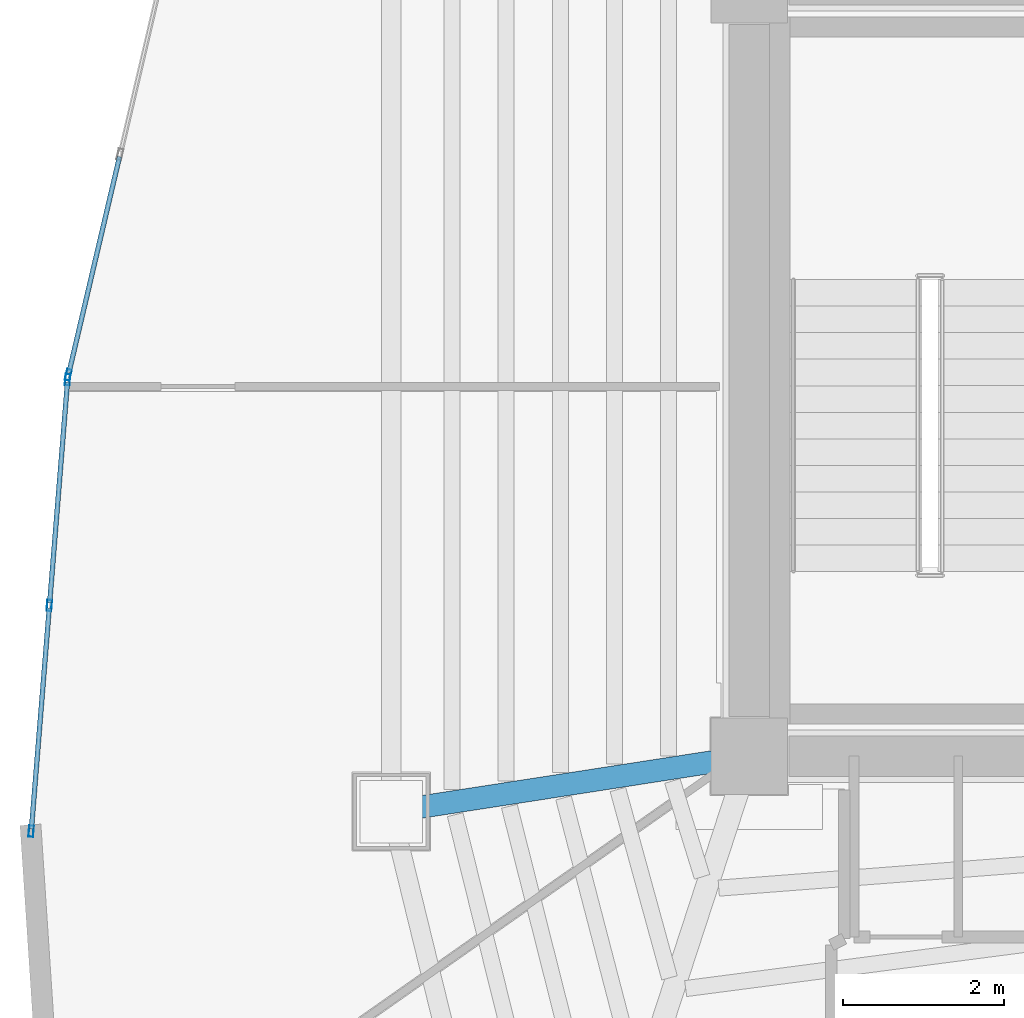
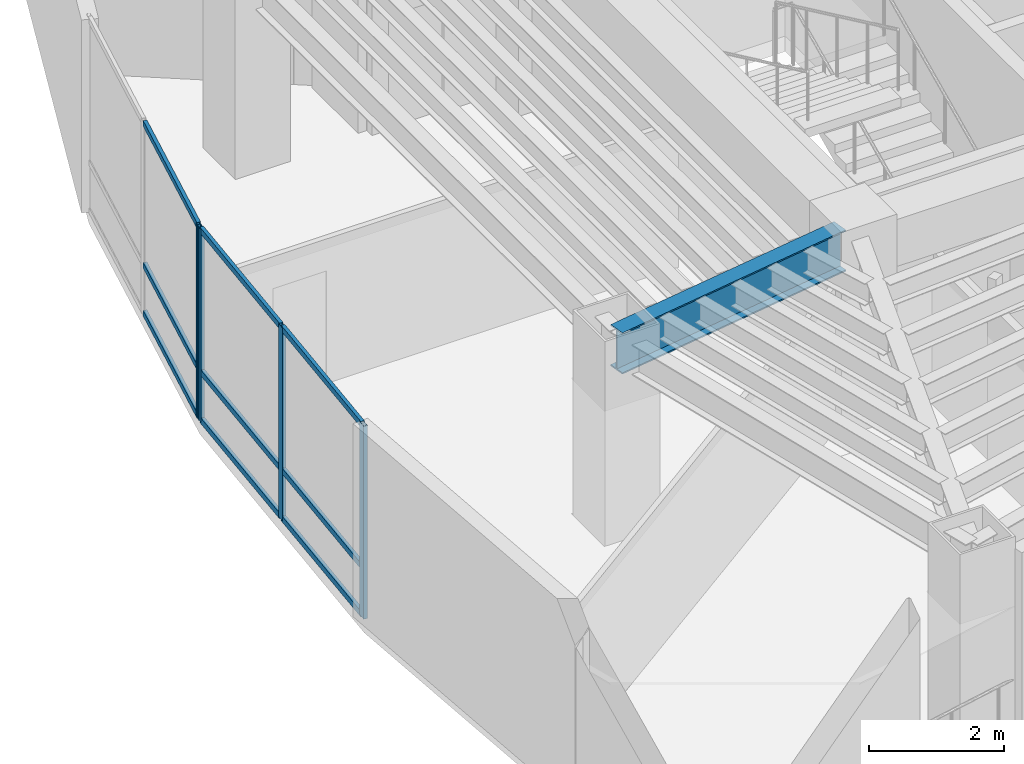
# One storey, part 2 of 15: 13 members, 1 beam, 2 elements without a shape of their own.
"""IFC4 building model written with IfcOpenShell, lengths in metres."""

from ifc_helpers import new_model, si_unit, direction, frame, origin, origin_2d, place, context, subcontext, project, spatial, hollow_rectangle, i_section, extrude, material, layer, layer_set, material_profile, profile_set, type_object, element, aggregate, save


model = new_model("IFC4")

# Units and contexts
model_context = context("Model", 3, precision=1e-05, world=origin(), true_north=direction((0.0, 1.0)))
body_context = subcontext(model_context, "Body", "Model", "MODEL_VIEW")
ifc_project = project(units=[si_unit("LENGTHUNIT", "METRE"), si_unit("AREAUNIT", "SQUARE_METRE"), si_unit("VOLUMEUNIT", "CUBIC_METRE"), si_unit("PLANEANGLEUNIT", "RADIAN"), si_unit("MASSUNIT", "GRAM", prefix="KILO")], contexts=[model_context])

# Site, building, storey
site_placement = place(None, origin())
site = spatial("IfcSite", under=ifc_project, at=site_placement, CompositionType="ELEMENT")
building_placement = place(site_placement, origin())
building = spatial("IfcBuilding", under=site, at=building_placement, Name="Menara Vayukalpa", CompositionType="ELEMENT")
storey_placement = place(building_placement, frame((0.0, 0.0, 172.919921875)))
storey = spatial("IfcBuildingStorey", under=building, at=storey_placement, Name="L43", CompositionType="ELEMENT", Elevation=172.919921875)

# Beam
ifc_material_1 = material(Name="Steel S355", Category="steel")
ifc_material_profile_1 = material_profile(ifc_material_1, i_section(OverallWidth=0.280029296875, OverallDepth=0.75, WebThickness=0.013916015625, FlangeThickness=0.02490234375, at=origin_2d()), Name="WF 750x280x14x25")
ifc_profile_set_1 = profile_set([ifc_material_profile_1], Name="Steel S355")
beam_type = type_object("IfcBeamType", Name="BM-PG4", PredefinedType="BEAM", material=ifc_profile_set_1)
beam_placement = place(storey_placement, frame((17.552978515625, 17.161865234375, 3.125), z_axis=(-0.988244781219, -0.152879862617, 0.0), x_axis=(0.152879862617, -0.988244781219, 0.0)))
element("IfcBeam", 1, at=beam_placement, inside=storey, type_object=beam_type, Name="L43 Primary Radial Girder RG06", PredefinedType="BEAM", context=body_context, shape_type="SweptSolid", body=[
    extrude(i_section(OverallWidth=0.280029296875, OverallDepth=0.75, WebThickness=0.013916015625, FlangeThickness=0.02490234375, at=origin_2d()), origin(), (0.0, 0.0, 1.0), 4.259033203125),
])

# Curtain wall, member
ifc_material_2 = material(Name="Anodised Terracotta Aluminium Alloy 6063-T6", Category="masonry")
ifc_layer = layer(ifc_material_2, 0.139892578125)
ifc_layer_set = layer_set([ifc_layer], Name="Anodised Terracotta Aluminium Alloy 6063-T6")
curtain_wall_type = type_object("IfcCurtainWallType", Name="CW-CW5", PredefinedType="USERDEFINED", material=ifc_layer_set)
curtain_wall_1_placement = place(storey_placement, origin())
curtain_wall_1 = element("IfcCurtainWall", 2, at=curtain_wall_1_placement, inside=storey, type_object=curtain_wall_type, Name="L43 High Rise Tapered Curtain Wall CW5 10", ObjectType="UNITISED", PredefinedType="USERDEFINED")
ifc_material_3 = material(Name="Anodised Terracotta Aluminium Alloy 6063-T6", Category="masonry")
ifc_material_profile_2 = material_profile(ifc_material_3, hollow_rectangle(XDim=0.06005859375, YDim=0.139892578125, WallThickness=0.00341796875, at=origin_2d()), Name="ALU 60x140x3.5")
ifc_profile_set_2 = profile_set([ifc_material_profile_2], Name="Anodised Terracotta Aluminium Alloy 6063-T6")
member_type_1 = type_object("IfcMemberType", Name="CWM-CW5", PredefinedType="MULLION", material=ifc_profile_set_2)
member_1_placement = place(storey_placement, frame((9.326416015625, 21.94482421875, 0.0), z_axis=(0.0, 0.0, 1.0), x_axis=(0.973626241643, -0.228148946052, 0.0)))
member_1 = element("IfcMember", 3, at=member_1_placement, type_object=member_type_1, Name="CW5 mullion 3", PredefinedType="MULLION", context=body_context, shape_type="SweptSolid", body=[
    extrude(hollow_rectangle(XDim=0.06005859375, YDim=0.139892578125, WallThickness=0.00341796875, at=origin_2d()), origin(), (0.0, 0.0, 1.0), 3.5),
])

# Curtain wall, members
curtain_wall_2_placement = place(storey_placement, origin())
curtain_wall_2 = element("IfcCurtainWall", 4, at=curtain_wall_2_placement, inside=storey, type_object=curtain_wall_type, Name="L43 High Rise Tapered Curtain Wall CW5 11", ObjectType="UNITISED", PredefinedType="USERDEFINED")
member_2_placement = place(storey_placement, frame((9.317138671875, 21.8857421875, 0.0), z_axis=(0.0, 0.0, 1.0), x_axis=(0.996764794256, -0.080373782609, 0.0)))
member_2 = element("IfcMember", 5, at=member_2_placement, type_object=member_type_1, Name="CW5 mullion 1", PredefinedType="MULLION", context=body_context, shape_type="SweptSolid", body=[
    extrude(hollow_rectangle(XDim=0.06005859375, YDim=0.139892578125, WallThickness=0.00341796875, at=origin_2d()), origin(), (0.0, 0.0, 1.0), 3.5),
])
member_3_placement = place(storey_placement, frame((9.090576171875, 19.076416015625, 0.0), z_axis=(0.0, 0.0, 1.0), x_axis=(0.996764794256, -0.080373782609, 0.0)))
member_3 = element("IfcMember", 6, at=member_3_placement, type_object=member_type_1, Name="CW5 mullion 2", PredefinedType="MULLION", context=body_context, shape_type="SweptSolid", body=[
    extrude(hollow_rectangle(XDim=0.06005859375, YDim=0.139892578125, WallThickness=0.00341796875, at=origin_2d()), origin(), (0.0, 0.0, 1.0), 3.5),
])
member_4_placement = place(storey_placement, frame((8.864013671875, 16.266845703125, 0.0), z_axis=(0.0, 0.0, 1.0), x_axis=(0.996764794256, -0.080373782609, 0.0)))
member_4 = element("IfcMember", 7, at=member_4_placement, type_object=member_type_1, Name="CW5 mullion 3", PredefinedType="MULLION", context=body_context, shape_type="SweptSolid", body=[
    extrude(hollow_rectangle(XDim=0.06005859375, YDim=0.139892578125, WallThickness=0.00341796875, at=origin_2d()), origin(), (0.0, 0.0, 1.0), 3.5),
])

# Member
ifc_material_4 = material(Name="Anodised Terracotta Aluminium Alloy 6063-T6", Category="masonry")
ifc_material_profile_3 = material_profile(ifc_material_4, hollow_rectangle(XDim=0.06005859375, YDim=0.10498046875, WallThickness=0.0029296875, at=origin_2d()), Name="ALU 60x105x3")
ifc_profile_set_3 = profile_set([ifc_material_profile_3], Name="Anodised Terracotta Aluminium Alloy 6063-T6")
member_type_2 = type_object("IfcMemberType", Name="CWT-CW5", PredefinedType="USERDEFINED", material=ifc_profile_set_3)
member_5_placement = place(storey_placement, frame((9.962646484375, 24.659912109375, 0.030029296875), z_axis=(-0.228161173023, -0.973623376427, 0.0), x_axis=(0.973623376427, -0.228161173023, 0.0)))
member_5 = element("IfcMember", 8, at=member_5_placement, type_object=member_type_2, Name="CW5 transom 2.1", ObjectType="TRANSOM", PredefinedType="USERDEFINED", context=body_context, shape_type="SweptSolid", body=[
    extrude(hollow_rectangle(XDim=0.06005859375, YDim=0.10498046875, WallThickness=0.0029296875, at=origin_2d()), origin(), (0.0, 0.0, 1.0), 2.758544921875),
])

member_6_placement = place(storey_placement, frame((9.962646484375, 24.659912109375, 0.900146484375), z_axis=(-0.228161173023, -0.973623376427, 0.0), x_axis=(0.973623376427, -0.228161173023, 0.0)))
member_6 = element("IfcMember", 9, at=member_6_placement, type_object=member_type_2, Name="CW5 transom 2.2", ObjectType="TRANSOM", PredefinedType="USERDEFINED", context=body_context, shape_type="SweptSolid", body=[
    extrude(hollow_rectangle(XDim=0.06005859375, YDim=0.10498046875, WallThickness=0.0029296875, at=origin_2d()), origin(), (0.0, 0.0, 1.0), 2.758544921875),
])

member_7_placement = place(storey_placement, frame((9.962646484375, 24.659912109375, 3.469970703125), z_axis=(-0.228161173023, -0.973623376427, 0.0), x_axis=(0.973623376427, -0.228161173023, 0.0)))
member_7 = element("IfcMember", 10, at=member_7_placement, type_object=member_type_2, Name="CW5 transom 2.3", ObjectType="TRANSOM", PredefinedType="USERDEFINED", context=body_context, shape_type="SweptSolid", body=[
    extrude(hollow_rectangle(XDim=0.06005859375, YDim=0.10498046875, WallThickness=0.0029296875, at=origin_2d()), origin(), (0.0, 0.0, 1.0), 2.758544921875),
])

aggregate(curtain_wall_1, [member_1, member_5, member_6, member_7])

member_8_placement = place(storey_placement, frame((9.314697265625, 21.85595703125, 0.030029296875), z_axis=(-0.080357244422, -0.996766127669, 0.0), x_axis=(0.996766127669, -0.080357244422, 0.0)))
member_8 = element("IfcMember", 11, at=member_8_placement, type_object=member_type_2, Name="CW5 transom 1.1", ObjectType="TRANSOM", PredefinedType="USERDEFINED", context=body_context, shape_type="SweptSolid", body=[
    extrude(hollow_rectangle(XDim=0.06005859375, YDim=0.10498046875, WallThickness=0.0029296875, at=origin_2d()), origin(), (0.0, 0.0, 1.0), 2.7587890625),
])

member_9_placement = place(storey_placement, frame((9.314697265625, 21.85595703125, 0.900146484375), z_axis=(-0.080357244422, -0.996766127669, 0.0), x_axis=(0.996766127669, -0.080357244422, 0.0)))
member_9 = element("IfcMember", 12, at=member_9_placement, type_object=member_type_2, Name="CW5 transom 1.2", ObjectType="TRANSOM", PredefinedType="USERDEFINED", context=body_context, shape_type="SweptSolid", body=[
    extrude(hollow_rectangle(XDim=0.06005859375, YDim=0.10498046875, WallThickness=0.0029296875, at=origin_2d()), origin(), (0.0, 0.0, 1.0), 2.7587890625),
])

member_10_placement = place(storey_placement, frame((9.314697265625, 21.85595703125, 3.469970703125), z_axis=(-0.080357244422, -0.996766127669, 0.0), x_axis=(0.996766127669, -0.080357244422, 0.0)))
member_10 = element("IfcMember", 13, at=member_10_placement, type_object=member_type_2, Name="CW5 transom 1.3", ObjectType="TRANSOM", PredefinedType="USERDEFINED", context=body_context, shape_type="SweptSolid", body=[
    extrude(hollow_rectangle(XDim=0.06005859375, YDim=0.10498046875, WallThickness=0.0029296875, at=origin_2d()), origin(), (0.0, 0.0, 1.0), 2.7587890625),
])

member_11_placement = place(storey_placement, frame((9.088134765625, 19.04638671875, 0.030029296875), z_axis=(-0.080364333597, -0.996765556129, 0.0), x_axis=(0.996765556129, -0.080364333597, 0.0)))
member_11 = element("IfcMember", 14, at=member_11_placement, type_object=member_type_2, Name="CW5 transom 2.1", ObjectType="TRANSOM", PredefinedType="USERDEFINED", context=body_context, shape_type="SweptSolid", body=[
    extrude(hollow_rectangle(XDim=0.06005859375, YDim=0.10498046875, WallThickness=0.0029296875, at=origin_2d()), origin(), (0.0, 0.0, 1.0), 2.758544921875),
])

member_12_placement = place(storey_placement, frame((9.088134765625, 19.04638671875, 0.900146484375), z_axis=(-0.080364333597, -0.996765556129, 0.0), x_axis=(0.996765556129, -0.080364333597, 0.0)))
member_12 = element("IfcMember", 15, at=member_12_placement, type_object=member_type_2, Name="CW5 transom 2.2", ObjectType="TRANSOM", PredefinedType="USERDEFINED", context=body_context, shape_type="SweptSolid", body=[
    extrude(hollow_rectangle(XDim=0.06005859375, YDim=0.10498046875, WallThickness=0.0029296875, at=origin_2d()), origin(), (0.0, 0.0, 1.0), 2.758544921875),
])

member_13_placement = place(storey_placement, frame((9.088134765625, 19.04638671875, 3.469970703125), z_axis=(-0.080364333597, -0.996765556129, 0.0), x_axis=(0.996765556129, -0.080364333597, 0.0)))
member_13 = element("IfcMember", 16, at=member_13_placement, type_object=member_type_2, Name="CW5 transom 2.3", ObjectType="TRANSOM", PredefinedType="USERDEFINED", context=body_context, shape_type="SweptSolid", body=[
    extrude(hollow_rectangle(XDim=0.06005859375, YDim=0.10498046875, WallThickness=0.0029296875, at=origin_2d()), origin(), (0.0, 0.0, 1.0), 2.758544921875),
])

aggregate(curtain_wall_2, [member_2, member_3, member_4, member_8, member_9, member_10, member_11, member_12, member_13])

save(model, "model.ifc")
